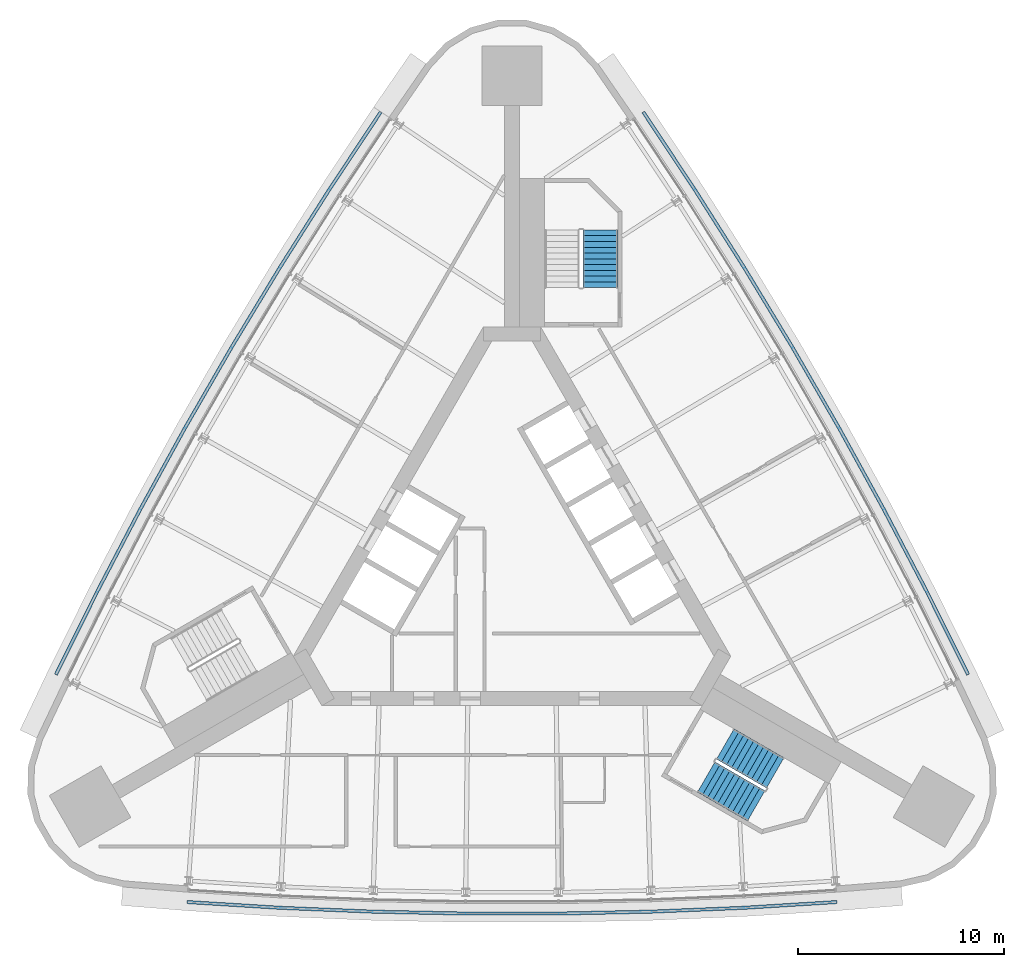
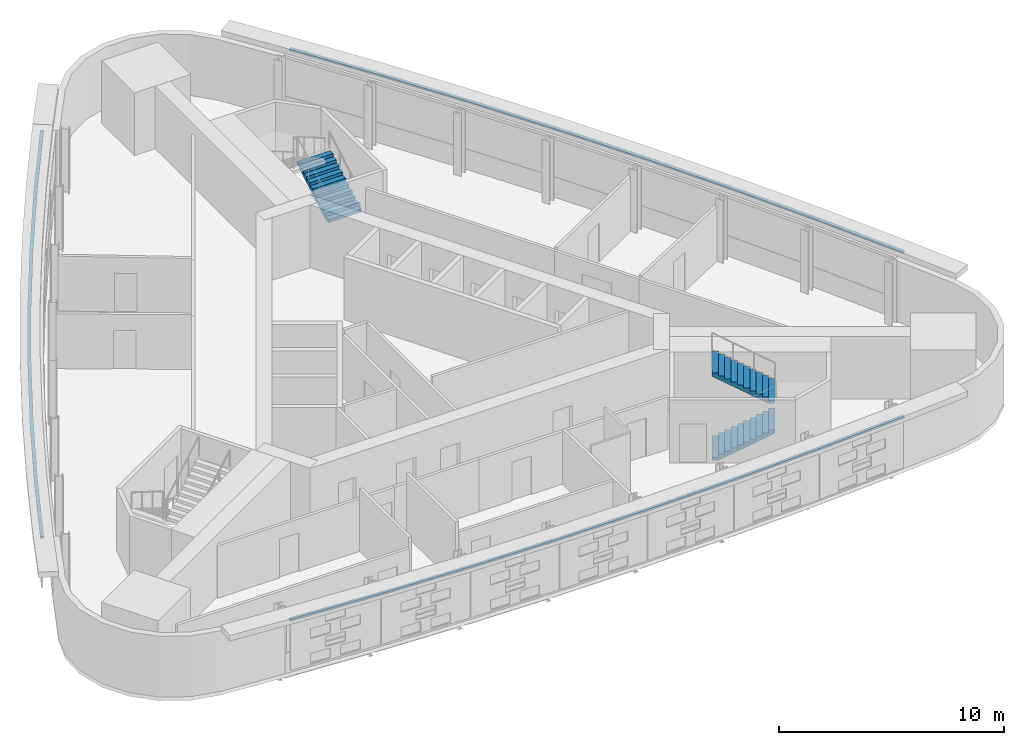
# One storey, part 10 of 12: 3 discrete accessories, 3 stair flights, 2 elements without a shape of their own.
"""IFC4 building model written with IfcOpenShell, lengths in metres."""

from ifc_helpers import new_model, si_unit, direction, frame, origin, place, context, subcontext, project, spatial, polyline, outline, extrude, material, type_object, element, aggregate, save


model = new_model("IFC4")

# Units and contexts
model_context = context("Model", 3, precision=1e-05, world=origin(), true_north=direction((0.0, 1.0)))
body_context = subcontext(model_context, "Body", "Model", "MODEL_VIEW")
ifc_project = project(units=[si_unit("LENGTHUNIT", "METRE"), si_unit("AREAUNIT", "SQUARE_METRE"), si_unit("VOLUMEUNIT", "CUBIC_METRE"), si_unit("PLANEANGLEUNIT", "RADIAN"), si_unit("MASSUNIT", "GRAM", prefix="KILO")], contexts=[model_context])

# Site, building, storey
site_placement = place(None, origin())
site = spatial("IfcSite", under=ifc_project, at=site_placement, CompositionType="ELEMENT")
building_placement = place(site_placement, origin())
building = spatial("IfcBuilding", under=site, at=building_placement, Name="Noor Cloister Tower", CompositionType="ELEMENT")
storey_placement = place(building_placement, frame((0.0, 0.0, 154.5)))
storey = spatial("IfcBuildingStorey", under=building, at=storey_placement, Name="L39", CompositionType="ELEMENT", Elevation=154.5)

# Stair, stair flight
ifc_material_1 = material(Name="Concrete C40/50", Category="concrete")
stair_type = type_object("IfcStairType", Name="Exit stair 22 risers", PredefinedType="HALF_TURN_STAIR", material=ifc_material_1)
stair_1_placement = place(storey_placement, origin())
stair_1 = element("IfcStair", 1, at=stair_1_placement, inside=storey, type_object=stair_type, Name="Exit stair ST1 L39", PredefinedType="HALF_TURN_STAIR")
ifc_material_2 = material(Name="Concrete C40/50", Category="concrete")
stair_flight_type = type_object("IfcStairFlightType", Name="Exit stair flight", PredefinedType="STRAIGHT", material=ifc_material_2)
stair_flight_1_placement = place(storey_placement, frame((4.28564453125, 13.3564453125, 0.0), z_axis=(0.0, 0.0, 1.0), x_axis=(0.0, 1.0, 0.0)))
stair_flight_1 = element("IfcStairFlight", 2, at=stair_flight_1_placement, type_object=stair_flight_type, Name="ST1 flight 1", NumberOfRisers=11, NumberOfTreads=10, PredefinedType="STRAIGHT", RiserHeight=0.163636364, TreadLength=0.28, context=body_context, shape_type="SweptSolid", body=[
    extrude(outline(polyline([(0.0, 0.0), (0.0, 0.16357421875), (0.280029296875, 0.16357421875), (0.280029296875, 0.327392578125), (0.56005859375, 0.327392578125), (0.56005859375, 0.490966796875), (0.840087890625, 0.490966796875), (0.840087890625, 0.654541015625), (1.1201171875, 0.654541015625), (1.1201171875, 0.818115234375), (1.39990234375, 0.818115234375), (1.39990234375, 0.98193359375), (1.679931640625, 0.98193359375), (1.679931640625, 1.1455078125), (1.9599609375, 1.1455078125), (1.9599609375, 1.30908203125), (2.239990234375, 1.30908203125), (2.239990234375, 1.47265625), (2.52001953125, 1.47265625), (2.52001953125, 1.636474609375), (2.800048828125, 1.636474609375), (2.800048828125, 1.800048828125), (2.800048828125, 1.462646484375), (0.297119140625, 0.0), (0.0, 0.0)])), frame((0.0, 0.85009765625, 0.0), z_axis=(0.0, -1.0, 0.0), x_axis=(1.0, 0.0, 0.0)), (0.0, 0.0, 1.0), 1.699951171875),
])
aggregate(stair_1, [stair_flight_1])

# Stair, stair flights
stair_2_placement = place(storey_placement, origin())
stair_2 = element("IfcStair", 3, at=stair_2_placement, inside=storey, type_object=stair_type, Name="Exit stair ST3 L39", PredefinedType="HALF_TURN_STAIR")
stair_flight_2_placement = place(storey_placement, frame((9.424072265625, -10.3896484375, 0.0), z_axis=(0.0, 0.0, 1.0), x_axis=(0.866025403784, -0.5, 0.0)))
stair_flight_2 = element("IfcStairFlight", 4, at=stair_flight_2_placement, type_object=stair_flight_type, Name="ST3 flight 1", NumberOfRisers=11, NumberOfTreads=10, PredefinedType="STRAIGHT", RiserHeight=0.163636364, TreadLength=0.28, context=body_context, shape_type="SweptSolid", body=[
    extrude(outline(polyline([(0.0, 0.0), (0.0, 0.16357421875), (0.280029296875, 0.16357421875), (0.280029296875, 0.327392578125), (0.56005859375, 0.327392578125), (0.56005859375, 0.490966796875), (0.840087890625, 0.490966796875), (0.840087890625, 0.654541015625), (1.1201171875, 0.654541015625), (1.1201171875, 0.818115234375), (1.39990234375, 0.818115234375), (1.39990234375, 0.98193359375), (1.679931640625, 0.98193359375), (1.679931640625, 1.1455078125), (1.9599609375, 1.1455078125), (1.9599609375, 1.30908203125), (2.239990234375, 1.30908203125), (2.239990234375, 1.47265625), (2.52001953125, 1.47265625), (2.52001953125, 1.636474609375), (2.800048828125, 1.636474609375), (2.800048828125, 1.800048828125), (2.800048828125, 1.462646484375), (0.297119140625, 0.0), (0.0, 0.0)])), frame((0.0, 0.85009765625, 0.0), z_axis=(0.0, -1.0, 0.0), x_axis=(1.0, 0.0, 0.0)), (0.0, 0.0, 1.0), 1.699951171875),
])
stair_flight_3_placement = place(storey_placement, frame((12.77392578125, -10.1875, 1.800048828125), z_axis=(0.0, 0.0, 1.0), x_axis=(-0.866025403784, 0.5, 0.0)))
stair_flight_3 = element("IfcStairFlight", 5, at=stair_flight_3_placement, type_object=stair_flight_type, Name="ST3 flight 2", NumberOfRisers=11, NumberOfTreads=10, PredefinedType="STRAIGHT", RiserHeight=0.163636364, TreadLength=0.28, context=body_context, shape_type="SweptSolid", body=[
    extrude(outline(polyline([(0.0, 0.0), (0.0, 0.16357421875), (0.280029296875, 0.16357421875), (0.280029296875, 0.327392578125), (0.56005859375, 0.327392578125), (0.56005859375, 0.490966796875), (0.840087890625, 0.490966796875), (0.840087890625, 0.654541015625), (1.1201171875, 0.654541015625), (1.1201171875, 0.818115234375), (1.39990234375, 0.818115234375), (1.39990234375, 0.98193359375), (1.679931640625, 0.98193359375), (1.679931640625, 1.1455078125), (1.9599609375, 1.1455078125), (1.9599609375, 1.30908203125), (2.239990234375, 1.30908203125), (2.239990234375, 1.47265625), (2.52001953125, 1.47265625), (2.52001953125, 1.636474609375), (2.800048828125, 1.636474609375), (2.800048828125, 1.800048828125), (2.800048828125, 1.462646484375), (0.297119140625, 0.0), (0.0, 0.0)])), frame((0.0, 0.85009765625, 0.0), z_axis=(0.0, -1.0, 0.0), x_axis=(1.0, 0.0, 0.0)), (0.0, 0.0, 1.0), 1.699951171875),
])
aggregate(stair_2, [stair_flight_2, stair_flight_3])

# Discrete accessories
ifc_material_3 = material(Name="Stainless steel grade 316", Category="steel")
discrete_accessory_type = type_object("IfcDiscreteAccessoryType", Name="Stainless hanger rail", PredefinedType="BRACKET", material=ifc_material_3)
discrete_accessory_1_placement = place(storey_placement, frame((0.0, 0.0, 3.199951171875)))
element("IfcDiscreteAccessory", 6, at=discrete_accessory_1_placement, inside=storey, type_object=discrete_accessory_type, Name="Hanger rail L39", PredefinedType="BRACKET", context=body_context, shape_type="SweptSolid", body=[
    extrude(outline(polyline([(-6.434326171875, 21.925537109375), (-8.92529296875, 18.171142578125), (-11.341064453125, 14.36083984375), (-13.67724609375, 10.501220703125), (-15.93310546875, 6.59423828125), (-18.107421875, 2.64111328125), (-20.19921875, -1.35595703125), (-22.205322265625, -5.390625), (-22.06201171875, -5.4619140625), (-20.056640625, -1.4287109375), (-17.96630859375, 2.5654296875), (-15.793701171875, 6.515625), (-13.53955078125, 10.419921875), (-11.205078125, 14.276611328125), (-8.791015625, 18.083984375), (-6.301025390625, 21.837158203125), (-6.434326171875, 21.925537109375)])), origin(), (0.0, 0.0, 1.0), 0.10009765625),
])
discrete_accessory_2_placement = place(storey_placement, frame((0.0, 0.0, 3.199951171875)))
element("IfcDiscreteAccessory", 7, at=discrete_accessory_2_placement, inside=storey, type_object=discrete_accessory_type, Name="Hanger rail L39", PredefinedType="BRACKET", context=body_context, shape_type="SweptSolid", body=[
    extrude(outline(polyline([(-15.77099609375, -16.534912109375), (-11.27392578125, -16.81494140625), (-6.766357421875, -17.001953125), (-2.255859375, -17.095458984375), (2.255859375, -17.095458984375), (6.766357421875, -17.001953125), (11.27392578125, -16.81494140625), (15.77099609375, -16.534912109375), (15.760986328125, -16.375244140625), (11.265625, -16.6552734375), (6.76123046875, -16.842041015625), (2.254150390625, -16.935546875), (-2.254150390625, -16.935546875), (-6.76123046875, -16.842041015625), (-11.265625, -16.6552734375), (-15.760986328125, -16.375244140625), (-15.77099609375, -16.534912109375)])), origin(), (0.0, 0.0, 1.0), 0.10009765625),
])
discrete_accessory_3_placement = place(storey_placement, frame((0.0, 0.0, 3.199951171875)))
element("IfcDiscreteAccessory", 8, at=discrete_accessory_3_placement, inside=storey, type_object=discrete_accessory_type, Name="Hanger rail L39", PredefinedType="BRACKET", context=body_context, shape_type="SweptSolid", body=[
    extrude(outline(polyline([(22.205322265625, -5.390625), (20.19921875, -1.35595703125), (18.107421875, 2.64111328125), (15.93310546875, 6.59423828125), (13.67724609375, 10.501220703125), (11.341064453125, 14.36083984375), (8.92529296875, 18.171142578125), (6.434326171875, 21.925537109375), (6.301025390625, 21.837158203125), (8.791015625, 18.083984375), (11.205078125, 14.276611328125), (13.53955078125, 10.419921875), (15.793701171875, 6.515625), (17.96630859375, 2.5654296875), (20.056640625, -1.4287109375), (22.06201171875, -5.4619140625), (22.205322265625, -5.390625)])), origin(), (0.0, 0.0, 1.0), 0.10009765625),
])

save(model, "model.ifc")
